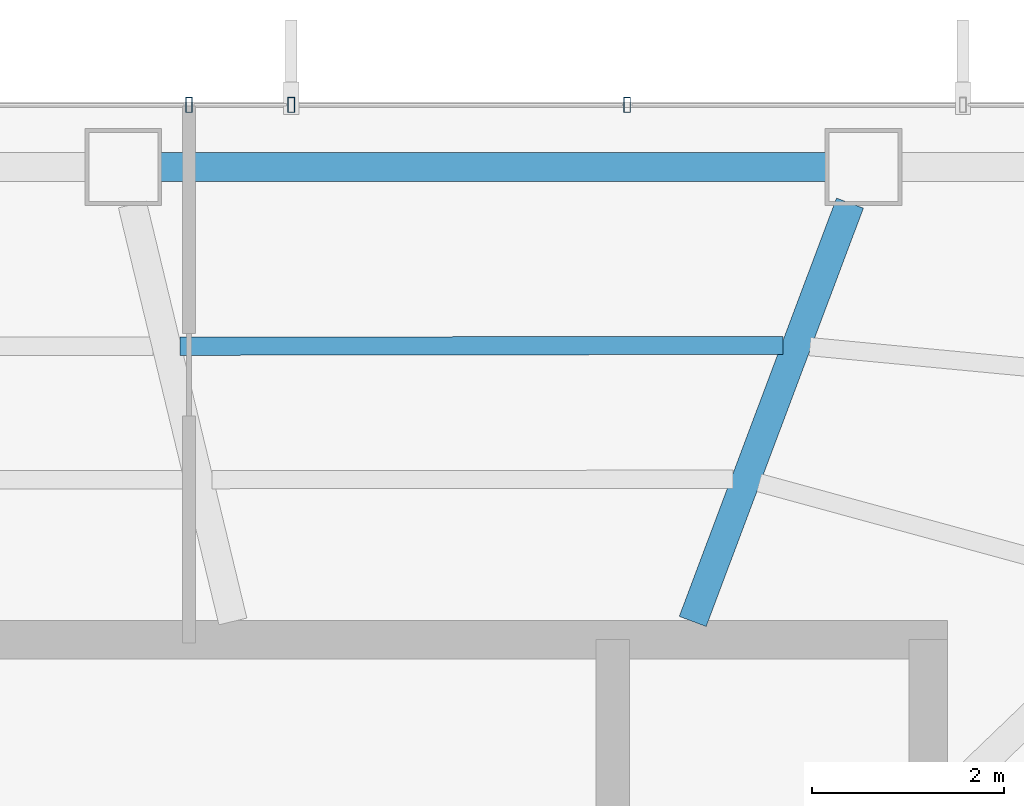
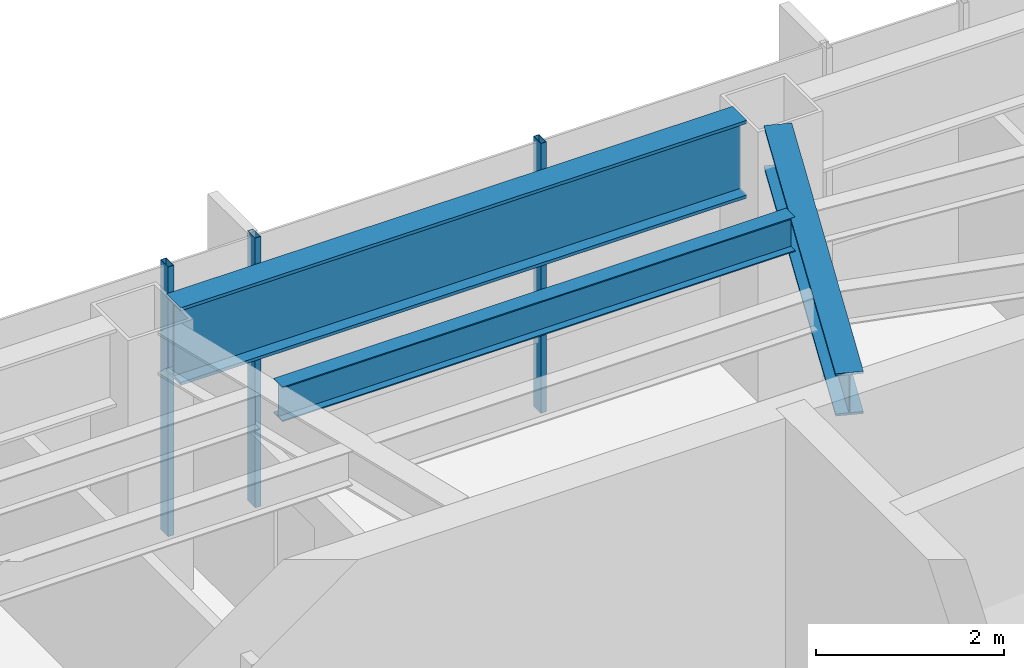
# One storey, part 16 of 28: 3 beams, 3 members, 1 element without a shape of its own.
"""IFC4 building model written with IfcOpenShell, lengths in metres."""

from ifc_helpers import new_model, si_unit, direction, frame, origin, origin_2d, place, context, subcontext, project, spatial, hollow_rectangle, i_section, extrude, material, layer, layer_set, material_profile, profile_set, type_object, element, aggregate, save


model = new_model("IFC4")

# Units and contexts
model_context = context("Model", 3, precision=1e-05, world=origin(), true_north=direction((0.0, 1.0)))
body_context = subcontext(model_context, "Body", "Model", "MODEL_VIEW")
ifc_project = project(units=[si_unit("LENGTHUNIT", "METRE"), si_unit("AREAUNIT", "SQUARE_METRE"), si_unit("VOLUMEUNIT", "CUBIC_METRE"), si_unit("PLANEANGLEUNIT", "RADIAN"), si_unit("MASSUNIT", "GRAM", prefix="KILO")], contexts=[model_context])

# Site, building, storey
site_placement = place(None, origin())
site = spatial("IfcSite", under=ifc_project, at=site_placement, CompositionType="ELEMENT")
building_placement = place(site_placement, origin())
building = spatial("IfcBuilding", under=site, at=building_placement, Name="Zarrinselat Tower", CompositionType="ELEMENT")
storey_placement = place(building_placement, frame((0.0, 0.0, 149.60009765625)))
storey = spatial("IfcBuildingStorey", under=building, at=storey_placement, Name="L36", CompositionType="ELEMENT", Elevation=149.60009765625)

# Beams
ifc_material_1 = material(Name="Steel S355J2", Category="steel")
ifc_material_profile_1 = material_profile(ifc_material_1, i_section(OverallWidth=0.300048828125, OverallDepth=0.550048828125, WebThickness=0.014892578125, FlangeThickness=0.029052734375, at=origin_2d()), Name="HEB 550")
ifc_profile_set_1 = profile_set([ifc_material_profile_1], Name="Steel S355J2")
beam_type_1 = type_object("IfcBeamType", Name="BM-HEB550", PredefinedType="BEAM", material=ifc_profile_set_1)
beam_1_placement = place(storey_placement, frame((45.800048828125, 43.639892578125, 3.224853515625), z_axis=(0.351903216309, 0.936036391574, 0.0), x_axis=(-0.936036391574, 0.351903216309, 0.0)))
element("IfcBeam", 1, at=beam_1_placement, inside=storey, type_object=beam_type_1, Name="L36 Radial Primary Girder RG02", PredefinedType="BEAM", context=body_context, shape_type="SweptSolid", body=[
    extrude(i_section(OverallWidth=0.300048828125, OverallDepth=0.550048828125, WebThickness=0.014892578125, FlangeThickness=0.029052734375, at=origin_2d()), origin(), (0.0, 0.0, 1.0), 4.66552734375),
])
ifc_material_2 = material(Name="Steel S460M", Category="steel")
ifc_material_profile_2 = material_profile(ifc_material_2, i_section(OverallWidth=0.302001953125, OverallDepth=1.008056640625, WebThickness=0.02099609375, FlangeThickness=0.0400390625, at=origin_2d()), Name="HEM 1000")
ifc_profile_set_2 = profile_set([ifc_material_profile_2], Name="Steel S460M")
beam_type_2 = type_object("IfcBeamType", Name="BM-HEM1000", PredefinedType="BEAM", material=ifc_profile_set_2)
beam_2_placement = place(storey_placement, frame((40.245361328125, 48.38330078125, 2.995849609375), z_axis=(1.0, 0.0, 0.0), x_axis=(0.0, 1.0, 0.0)))
element("IfcBeam", 2, at=beam_2_placement, inside=storey, type_object=beam_type_2, Name="L36 Perimeter Spandrel Girder SP02", PredefinedType="BEAM", context=body_context, shape_type="SweptSolid", body=[
    extrude(i_section(OverallWidth=0.302001953125, OverallDepth=1.008056640625, WebThickness=0.02099609375, FlangeThickness=0.0400390625, at=origin_2d()), origin(), (0.0, 0.0, 1.0), 6.9501953125),
])
ifc_material_3 = material(Name="Steel S355J2", Category="steel")
ifc_material_profile_3 = material_profile(ifc_material_3, i_section(OverallWidth=0.18994140625, OverallDepth=0.449951171875, WebThickness=0.009521484375, FlangeThickness=0.0146484375, at=origin_2d()), Name="IPE 450")
ifc_profile_set_3 = profile_set([ifc_material_profile_3], Name="Steel S355J2")
beam_type_3 = type_object("IfcBeamType", Name="BM-IPE450", PredefinedType="JOIST", material=ifc_profile_set_3)
beam_3_placement = place(storey_placement, frame((40.447998046875, 46.512939453125, 3.27490234375), z_axis=(0.999998970631, 0.001434830027, 0.0), x_axis=(-0.001434830027, 0.999998970631, 0.0)))
element("IfcBeam", 3, at=beam_3_placement, inside=storey, type_object=beam_type_3, Name="L36 Composite Floor Joist 7-1", PredefinedType="JOIST", context=body_context, shape_type="SweptSolid", body=[
    extrude(i_section(OverallWidth=0.18994140625, OverallDepth=0.449951171875, WebThickness=0.009521484375, FlangeThickness=0.0146484375, at=origin_2d()), origin(), (0.0, 0.0, 1.0), 6.295654296875),
])

# Curtain wall, members
ifc_material_4 = material(Name="Extruded Aluminium Alloy EN AW-6063 T6", Category="aluminium")
ifc_layer = layer(ifc_material_4, 0.175048828125)
ifc_layer_set = layer_set([ifc_layer], Name="Extruded Aluminium Alloy EN AW-6063 T6")
curtain_wall_type = type_object("IfcCurtainWallType", Name="CWS-HTL", PredefinedType="NOTDEFINED", material=ifc_layer_set)
curtain_wall_placement = place(storey_placement, origin())
curtain_wall = element("IfcCurtainWall", 4, at=curtain_wall_placement, inside=storey, type_object=curtain_wall_type, Name="L36 Unitised Curtain Wall CW-L36-E01", PredefinedType="NOTDEFINED")
ifc_material_5 = material(Name="Extruded Aluminium Alloy EN AW-6063 T6", Category="aluminium")
ifc_material_profile_4 = material_profile(ifc_material_5, hollow_rectangle(XDim=0.070068359375, YDim=0.159912109375, WallThickness=0.00390625, at=origin_2d()), Name="RHS 160x70x4")
ifc_profile_set_4 = profile_set([ifc_material_profile_4], Name="Extruded Aluminium Alloy EN AW-6063 T6")
member_type = type_object("IfcMemberType", Name="MEM-CW-MUL2", PredefinedType="MULLION", material=ifc_profile_set_4)
member_1_placement = place(storey_placement, frame((45.11572265625, 49.033203125, 0.0), z_axis=(0.0, 0.0, 1.0), x_axis=(-1.0, 0.0, 0.0)))
member_1 = element("IfcMember", 5, at=member_1_placement, type_object=member_type, Name="CW-L36-E01 Mullion 4", PredefinedType="MULLION", context=body_context, shape_type="SweptSolid", body=[
    extrude(hollow_rectangle(XDim=0.070068359375, YDim=0.159912109375, WallThickness=0.00390625, at=origin_2d()), origin(), (0.0, 0.0, 1.0), 3.5),
])
member_2_placement = place(storey_placement, frame((41.610107421875, 49.033203125, 0.0), z_axis=(0.0, 0.0, 1.0), x_axis=(-1.0, 0.0, 0.0)))
member_2 = element("IfcMember", 6, at=member_2_placement, type_object=member_type, Name="CW-L36-E01 Mullion 5", PredefinedType="MULLION", context=body_context, shape_type="SweptSolid", body=[
    extrude(hollow_rectangle(XDim=0.070068359375, YDim=0.159912109375, WallThickness=0.00390625, at=origin_2d()), origin(), (0.0, 0.0, 1.0), 3.5),
])
member_3_placement = place(storey_placement, frame((40.5419921875, 49.033203125, 0.0), z_axis=(0.0, 0.0, 1.0), x_axis=(-1.0, 0.0, 0.0)))
member_3 = element("IfcMember", 7, at=member_3_placement, type_object=member_type, Name="CW-L36-E01 Mullion 6", PredefinedType="MULLION", context=body_context, shape_type="SweptSolid", body=[
    extrude(hollow_rectangle(XDim=0.070068359375, YDim=0.159912109375, WallThickness=0.00390625, at=origin_2d()), origin(), (0.0, 0.0, 1.0), 3.5),
])
aggregate(curtain_wall, [member_1, member_2, member_3])

save(model, "model.ifc")
